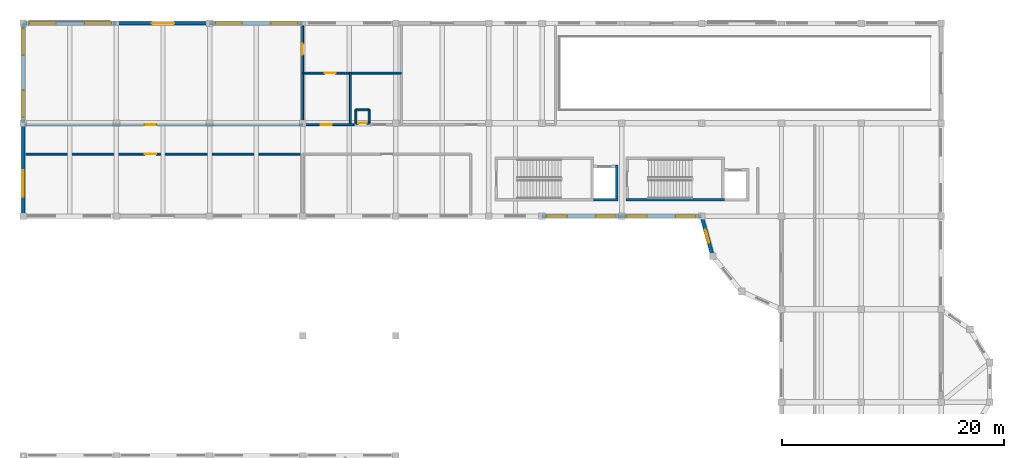
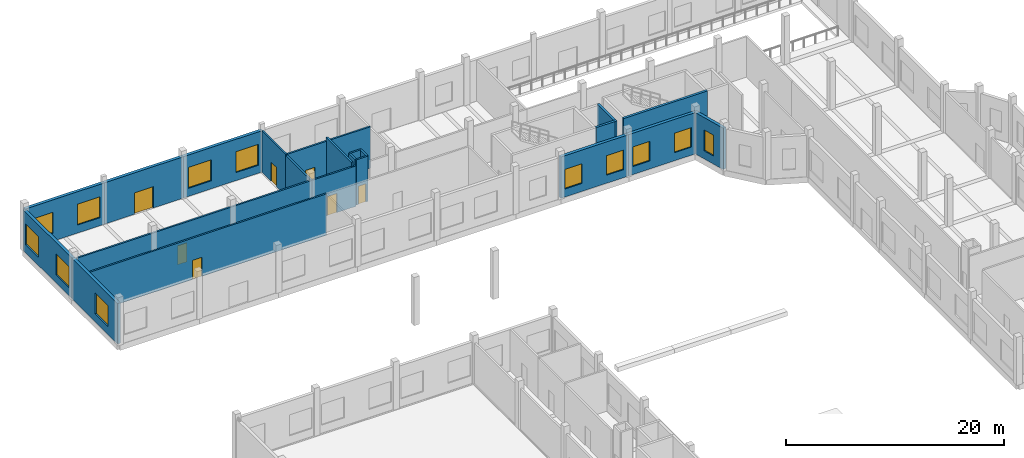
# One storey, part 23 of 41: 22 walls, 12 windows, 7 doors, 19 openings.
"""IFC4 building model written with IfcOpenShell, lengths in metres."""

from ifc_helpers import new_model, si_unit, direction, frame, frame_2d, origin, place, context, subcontext, project, spatial, rectangle, extrude, material, layer, layer_set, type_object, element, fill, save


model = new_model("IFC4")

# Units and contexts
model_context = context("Model", 3, precision=1e-05, world=origin(), true_north=direction((0.0, 1.0)))
body_context = subcontext(model_context, "Body", "Model", "MODEL_VIEW")
ifc_project = project(units=[si_unit("LENGTHUNIT", "METRE"), si_unit("AREAUNIT", "SQUARE_METRE"), si_unit("VOLUMEUNIT", "CUBIC_METRE"), si_unit("PLANEANGLEUNIT", "RADIAN"), si_unit("MASSUNIT", "GRAM", prefix="KILO")], contexts=[model_context])

# Site, building, storey
site_placement = place(None, origin())
site = spatial("IfcSite", under=ifc_project, at=site_placement, CompositionType="ELEMENT")
building_placement = place(site_placement, origin())
building = spatial("IfcBuilding", under=site, at=building_placement, Name="Kahlenmark Community Centre", CompositionType="ELEMENT")
storey_placement = place(building_placement, origin())
storey = spatial("IfcBuildingStorey", under=building, at=storey_placement, Name="L00", CompositionType="ELEMENT", Elevation=0.0)

# Walls
ifc_material_1 = material(Name="Concrete C35/45", Category="concrete")
ifc_layer_1 = layer(ifc_material_1, 0.25)
ifc_layer_set_1 = layer_set([ifc_layer_1], Name="Concrete C35/45")
wall_type_1 = type_object("IfcWallType", Name="WT-CORE-250", PredefinedType="SHEAR", material=ifc_layer_set_1)
wall_1_placement = place(storey_placement, frame((55.449951171875, 99.074951171875, 0.0), z_axis=(0.0, 0.0, 1.0), x_axis=(1.0, 0.0, 0.0)))
element("IfcWall", 1, at=wall_1_placement, inside=storey, type_object=wall_type_1, Name="Core K4 shear wall WL-CORE-K4-L00-0110", PredefinedType="SHEAR", context=body_context, shape_type="SweptSolid", body=[
    extrude(rectangle(XDim=2.2099609375, YDim=0.25, at=frame_2d((1.10498046875, 0.0))), origin(), (0.0, 0.0, 1.0), 5.39990234375),
])
wall_2_placement = place(storey_placement, frame((57.534912109375, 98.949951171875, 0.0), z_axis=(0.0, 0.0, 1.0), x_axis=(0.0, 1.0, 0.0)))
element("IfcWall", 2, at=wall_2_placement, inside=storey, type_object=wall_type_1, Name="Core K4 shear wall WL-CORE-K4-L00-0111", PredefinedType="SHEAR", context=body_context, shape_type="SweptSolid", body=[
    extrude(rectangle(XDim=3.260009765625, YDim=0.25, at=frame_2d((1.6298828125, 0.0))), origin(), (0.0, 0.0, 1.0), 5.39990234375),
])
wall_3_placement = place(storey_placement, frame((58.35009765625, 99.074951171875, 0.0), z_axis=(0.0, 0.0, 1.0), x_axis=(1.0, 0.0, 0.0)))
element("IfcWall", 3, at=wall_3_placement, inside=storey, type_object=wall_type_1, Name="Core K5 shear wall WL-CORE-K5-L00-0156", PredefinedType="SHEAR", context=body_context, shape_type="SweptSolid", body=[
    extrude(rectangle(XDim=8.89990234375, YDim=0.25, at=frame_2d((4.449951171875, 0.0))), origin(), (0.0, 0.0, 1.0), 5.39990234375),
])

# Wall, openings, windows
ifc_material_2 = material(Name="Danube limestone masonry", Category="masonry")
ifc_layer_2 = layer(ifc_material_2, 0.320068359375)
ifc_layer_set_2 = layer_set([ifc_layer_2], Name="Danube limestone masonry")
wall_type_2 = type_object("IfcWallType", Name="WT-EW-320", PredefinedType="SOLIDWALL", material=ifc_layer_set_2)
wall_4_placement = place(storey_placement, frame((50.800048828125, 97.60009765625, 0.0), z_axis=(0.0, 0.0, 1.0), x_axis=(1.0, 0.0, 0.0)))
wall_4 = element("IfcWall", 4, at=wall_4_placement, inside=storey, type_object=wall_type_2, Name="Exterior wall WL-EXT-L00-0185", PredefinedType="SOLIDWALL", context=body_context, shape_type="SweptSolid", body=[
    extrude(rectangle(XDim=7.199951171875, YDim=0.320068359375, at=frame_2d((3.60009765625, 0.0))), origin(), (0.0, 0.0, 1.0), 4.639892578125),
])
opening_1_placement = place(wall_4_placement, frame((0.4599609375, 0.0, 0.89990234375)))
opening_1 = element("IfcOpeningElement", 5, at=opening_1_placement, cuts=wall_4, Name="Opening W-180X220", PredefinedType="OPENING", context=body_context, shape_type="SweptSolid", body=[
    extrude(rectangle(XDim=1.800048828125, YDim=2.199951171875, at=frame_2d((0.89990234375, 1.10009765625))), frame((0.0, 0.169921875, 0.0), z_axis=(0.0, -1.0, 0.0), x_axis=(1.0, 0.0, 0.0)), (0.0, 0.0, 1.0), 0.340087890625),
])
opening_2_placement = place(wall_4_placement, frame((4.860107421875, 0.0, 0.89990234375)))
opening_2 = element("IfcOpeningElement", 6, at=opening_2_placement, cuts=wall_4, Name="Opening W-180X220", PredefinedType="OPENING", context=body_context, shape_type="SweptSolid", body=[
    extrude(rectangle(XDim=1.800048828125, YDim=2.199951171875, at=frame_2d((0.89990234375, 1.10009765625))), frame((0.0, 0.169921875, 0.0), z_axis=(0.0, -1.0, 0.0), x_axis=(1.0, 0.0, 0.0)), (0.0, 0.0, 1.0), 0.340087890625),
])
ifc_material_3 = material(Name="Triple low-e insulated glazing in timber-aluminium frame", Category="wood")
window_type_1 = type_object("IfcWindowType", Name="WNT-180X220", PartitioningType="DOUBLE_PANEL_VERTICAL", PredefinedType="WINDOW", material=ifc_material_3)
window_1_placement = place(opening_1_placement, origin())
window_1 = element("IfcWindow", 7, at=window_1_placement, inside=storey, type_object=window_type_1, Name="Window W-180X220 #0075", OverallHeight=2.199951171875, OverallWidth=1.800048828125, PartitioningType="DOUBLE_PANEL_VERTICAL", PredefinedType="WINDOW", context=body_context, shape_type="SweptSolid", body=[
    extrude(rectangle(XDim=1.800048828125, YDim=2.199951171875, at=frame_2d((0.89990234375, 1.10009765625))), frame((0.0, 0.030029296875, 0.0), z_axis=(0.0, -1.0, 0.0), x_axis=(1.0, 0.0, 0.0)), (0.0, 0.0, 1.0), 0.06005859375),
])
fill(opening_1, window_1)
window_2_placement = place(opening_2_placement, origin())
window_2 = element("IfcWindow", 8, at=window_2_placement, inside=storey, type_object=window_type_1, Name="Window W-180X220 #0076", OverallHeight=2.199951171875, OverallWidth=1.800048828125, PartitioningType="DOUBLE_PANEL_VERTICAL", PredefinedType="WINDOW", context=body_context, shape_type="SweptSolid", body=[
    extrude(rectangle(XDim=1.800048828125, YDim=2.199951171875, at=frame_2d((0.89990234375, 1.10009765625))), frame((0.0, 0.030029296875, 0.0), z_axis=(0.0, -1.0, 0.0), x_axis=(1.0, 0.0, 0.0)), (0.0, 0.0, 1.0), 0.06005859375),
])
fill(opening_2, window_2)

wall_5_placement = place(storey_placement, frame((58.0, 97.60009765625, 0.0), z_axis=(0.0, 0.0, 1.0), x_axis=(1.0, 0.0, 0.0)))
wall_5 = element("IfcWall", 9, at=wall_5_placement, inside=storey, type_object=wall_type_2, Name="Exterior wall WL-EXT-L00-0186", PredefinedType="SOLIDWALL", context=body_context, shape_type="SweptSolid", body=[
    extrude(rectangle(XDim=7.199951171875, YDim=0.320068359375, at=frame_2d((3.60009765625, 0.0))), origin(), (0.0, 0.0, 1.0), 4.639892578125),
])
opening_3_placement = place(wall_5_placement, frame((0.4599609375, 0.0, 0.89990234375)))
opening_3 = element("IfcOpeningElement", 10, at=opening_3_placement, cuts=wall_5, Name="Opening W-180X220", PredefinedType="OPENING", context=body_context, shape_type="SweptSolid", body=[
    extrude(rectangle(XDim=1.800048828125, YDim=2.199951171875, at=frame_2d((0.89990234375, 1.10009765625))), frame((0.0, 0.169921875, 0.0), z_axis=(0.0, -1.0, 0.0), x_axis=(1.0, 0.0, 0.0)), (0.0, 0.0, 1.0), 0.340087890625),
])
opening_4_placement = place(wall_5_placement, frame((4.860107421875, 0.0, 0.89990234375)))
opening_4 = element("IfcOpeningElement", 11, at=opening_4_placement, cuts=wall_5, Name="Opening W-180X220", PredefinedType="OPENING", context=body_context, shape_type="SweptSolid", body=[
    extrude(rectangle(XDim=1.800048828125, YDim=2.199951171875, at=frame_2d((0.89990234375, 1.10009765625))), frame((0.0, 0.169921875, 0.0), z_axis=(0.0, -1.0, 0.0), x_axis=(1.0, 0.0, 0.0)), (0.0, 0.0, 1.0), 0.340087890625),
])
window_3_placement = place(opening_3_placement, origin())
window_3 = element("IfcWindow", 12, at=window_3_placement, inside=storey, type_object=window_type_1, Name="Window W-180X220 #0077", OverallHeight=2.199951171875, OverallWidth=1.800048828125, PartitioningType="DOUBLE_PANEL_VERTICAL", PredefinedType="WINDOW", context=body_context, shape_type="SweptSolid", body=[
    extrude(rectangle(XDim=1.800048828125, YDim=2.199951171875, at=frame_2d((0.89990234375, 1.10009765625))), frame((0.0, 0.030029296875, 0.0), z_axis=(0.0, -1.0, 0.0), x_axis=(1.0, 0.0, 0.0)), (0.0, 0.0, 1.0), 0.06005859375),
])
fill(opening_3, window_3)
window_4_placement = place(opening_4_placement, origin())
window_4 = element("IfcWindow", 13, at=window_4_placement, inside=storey, type_object=window_type_1, Name="Window W-180X220 #0078", OverallHeight=2.199951171875, OverallWidth=1.800048828125, PartitioningType="DOUBLE_PANEL_VERTICAL", PredefinedType="WINDOW", context=body_context, shape_type="SweptSolid", body=[
    extrude(rectangle(XDim=1.800048828125, YDim=2.199951171875, at=frame_2d((0.89990234375, 1.10009765625))), frame((0.0, 0.030029296875, 0.0), z_axis=(0.0, -1.0, 0.0), x_axis=(1.0, 0.0, 0.0)), (0.0, 0.0, 1.0), 0.06005859375),
])
fill(opening_4, window_4)

wall_6_placement = place(storey_placement, frame((12.39990234375, 115.0, 0.0), z_axis=(0.0, 0.0, 1.0), x_axis=(-1.0, 0.0, 0.0)))
wall_6 = element("IfcWall", 14, at=wall_6_placement, inside=storey, type_object=wall_type_2, Name="Exterior wall WL-EXT-L00-0187", PredefinedType="SOLIDWALL", context=body_context, shape_type="SweptSolid", body=[
    extrude(rectangle(XDim=8.39990234375, YDim=0.320068359375, at=frame_2d((4.199951171875, 0.0))), origin(), (0.0, 0.0, 1.0), 4.639892578125),
])
opening_5_placement = place(wall_6_placement, frame((0.4599609375, 0.0, 0.89990234375)))
opening_5 = element("IfcOpeningElement", 15, at=opening_5_placement, cuts=wall_6, Name="Opening W-240X235", PredefinedType="OPENING", context=body_context, shape_type="SweptSolid", body=[
    extrude(rectangle(XDim=2.39990234375, YDim=2.35009765625, at=frame_2d((1.199951171875, 1.175048828125))), frame((0.0, 0.169921875, 0.0), z_axis=(0.0, -1.0, 0.0), x_axis=(1.0, 0.0, 0.0)), (0.0, 0.0, 1.0), 0.340087890625),
])
opening_6_placement = place(wall_6_placement, frame((5.4599609375, 0.0, 0.89990234375)))
opening_6 = element("IfcOpeningElement", 16, at=opening_6_placement, cuts=wall_6, Name="Opening W-240X235", PredefinedType="OPENING", context=body_context, shape_type="SweptSolid", body=[
    extrude(rectangle(XDim=2.39990234375, YDim=2.35009765625, at=frame_2d((1.199951171875, 1.175048828125))), frame((0.0, 0.169921875, 0.0), z_axis=(0.0, -1.0, 0.0), x_axis=(1.0, 0.0, 0.0)), (0.0, 0.0, 1.0), 0.340087890625),
])
window_type_2 = type_object("IfcWindowType", Name="WNT-240X235", PartitioningType="TRIPLE_PANEL_VERTICAL", PredefinedType="WINDOW", material=ifc_material_3)
window_5_placement = place(opening_5_placement, origin())
window_5 = element("IfcWindow", 17, at=window_5_placement, inside=storey, type_object=window_type_2, Name="Window W-240X235 #0079", OverallHeight=2.35009765625, OverallWidth=2.39990234375, PartitioningType="TRIPLE_PANEL_VERTICAL", PredefinedType="WINDOW", context=body_context, shape_type="SweptSolid", body=[
    extrude(rectangle(XDim=2.39990234375, YDim=2.35009765625, at=frame_2d((1.199951171875, 1.175048828125))), frame((0.0, 0.030029296875, 0.0), z_axis=(0.0, -1.0, 0.0), x_axis=(1.0, 0.0, 0.0)), (0.0, 0.0, 1.0), 0.06005859375),
])
fill(opening_5, window_5)
window_6_placement = place(opening_6_placement, origin())
window_6 = element("IfcWindow", 18, at=window_6_placement, inside=storey, type_object=window_type_2, Name="Window W-240X235 #0080", OverallHeight=2.35009765625, OverallWidth=2.39990234375, PartitioningType="TRIPLE_PANEL_VERTICAL", PredefinedType="WINDOW", context=body_context, shape_type="SweptSolid", body=[
    extrude(rectangle(XDim=2.39990234375, YDim=2.35009765625, at=frame_2d((1.199951171875, 1.175048828125))), frame((0.0, 0.030029296875, 0.0), z_axis=(0.0, -1.0, 0.0), x_axis=(1.0, 0.0, 0.0)), (0.0, 0.0, 1.0), 0.06005859375),
])
fill(opening_6, window_6)

# Wall, opening, door
wall_7_placement = place(storey_placement, frame((20.800048828125, 115.0, 0.0), z_axis=(0.0, 0.0, 1.0), x_axis=(-1.0, 0.0, 0.0)))
wall_7 = element("IfcWall", 19, at=wall_7_placement, inside=storey, type_object=wall_type_2, Name="Exterior wall WL-EXT-L00-0188", PredefinedType="SOLIDWALL", context=body_context, shape_type="SweptSolid", body=[
    extrude(rectangle(XDim=8.400146484375, YDim=0.320068359375, at=frame_2d((4.2001953125, 0.0))), origin(), (0.0, 0.0, 1.0), 4.639892578125),
])
opening_7_placement = place(wall_7_placement, frame((3.199951171875, 0.0, -0.010009765625)))
opening_7 = element("IfcOpeningElement", 20, at=opening_7_placement, cuts=wall_7, Name="Opening D-E07", PredefinedType="OPENING", context=body_context, shape_type="SweptSolid", body=[
    extrude(rectangle(XDim=2.0, YDim=2.409912109375, at=frame_2d((1.0, 1.205078125))), frame((0.0, 0.169921875, 0.0), z_axis=(0.0, -1.0, 0.0), x_axis=(1.0, 0.0, 0.0)), (0.0, 0.0, 1.0), 0.340087890625),
])
ifc_material_4 = material(Name="Thermally broken glazed aluminium double entrance door", Category="aluminium")
door_type_1 = type_object("IfcDoorType", Name="DT-EXT-200X240", OperationType="NOTDEFINED", PredefinedType="DOOR", material=ifc_material_4)
door_1_placement = place(opening_7_placement, frame((0.0, 0.0, 0.010009765625)))
door_1 = element("IfcDoor", 21, at=door_1_placement, inside=storey, type_object=door_type_1, Name="Exterior door D-E07", OperationType="DOUBLE_SWING_LEFT", OverallHeight=2.39990234375, OverallWidth=2.0, PredefinedType="DOOR", context=body_context, shape_type="SweptSolid", body=[
    extrude(rectangle(XDim=2.0, YDim=2.39990234375, at=frame_2d((1.0, 1.199951171875))), frame((0.0, 0.02490234375, 0.0), z_axis=(0.0, -1.0, 0.0), x_axis=(1.0, 0.0, 0.0)), (0.0, 0.0, 1.0), 0.050048828125),
])
fill(opening_7, door_1)

# Wall, openings, windows
wall_8_placement = place(storey_placement, frame((29.199951171875, 115.0, 0.0), z_axis=(0.0, 0.0, 1.0), x_axis=(-1.0, 0.0, 0.0)))
wall_8 = element("IfcWall", 22, at=wall_8_placement, inside=storey, type_object=wall_type_2, Name="Exterior wall WL-EXT-L00-0189", PredefinedType="SOLIDWALL", context=body_context, shape_type="SweptSolid", body=[
    extrude(rectangle(XDim=8.39990234375, YDim=0.320068359375, at=frame_2d((4.199951171875, 0.0))), origin(), (0.0, 0.0, 1.0), 4.639892578125),
])
opening_8_placement = place(wall_8_placement, frame((0.4599609375, 0.0, 0.89990234375)))
opening_8 = element("IfcOpeningElement", 23, at=opening_8_placement, cuts=wall_8, Name="Opening W-240X235", PredefinedType="OPENING", context=body_context, shape_type="SweptSolid", body=[
    extrude(rectangle(XDim=2.39990234375, YDim=2.35009765625, at=frame_2d((1.199951171875, 1.175048828125))), frame((0.0, 0.169921875, 0.0), z_axis=(0.0, -1.0, 0.0), x_axis=(1.0, 0.0, 0.0)), (0.0, 0.0, 1.0), 0.340087890625),
])
opening_9_placement = place(wall_8_placement, frame((5.4599609375, 0.0, 0.89990234375)))
opening_9 = element("IfcOpeningElement", 24, at=opening_9_placement, cuts=wall_8, Name="Opening W-240X235", PredefinedType="OPENING", context=body_context, shape_type="SweptSolid", body=[
    extrude(rectangle(XDim=2.39990234375, YDim=2.35009765625, at=frame_2d((1.199951171875, 1.175048828125))), frame((0.0, 0.169921875, 0.0), z_axis=(0.0, -1.0, 0.0), x_axis=(1.0, 0.0, 0.0)), (0.0, 0.0, 1.0), 0.340087890625),
])
window_7_placement = place(opening_8_placement, origin())
window_7 = element("IfcWindow", 25, at=window_7_placement, inside=storey, type_object=window_type_2, Name="Window W-240X235 #0081", OverallHeight=2.35009765625, OverallWidth=2.39990234375, PartitioningType="TRIPLE_PANEL_VERTICAL", PredefinedType="WINDOW", context=body_context, shape_type="SweptSolid", body=[
    extrude(rectangle(XDim=2.39990234375, YDim=2.35009765625, at=frame_2d((1.199951171875, 1.175048828125))), frame((0.0, 0.030029296875, 0.0), z_axis=(0.0, -1.0, 0.0), x_axis=(1.0, 0.0, 0.0)), (0.0, 0.0, 1.0), 0.06005859375),
])
fill(opening_8, window_7)
window_8_placement = place(opening_9_placement, origin())
window_8 = element("IfcWindow", 26, at=window_8_placement, inside=storey, type_object=window_type_2, Name="Window W-240X235 #0082", OverallHeight=2.35009765625, OverallWidth=2.39990234375, PartitioningType="TRIPLE_PANEL_VERTICAL", PredefinedType="WINDOW", context=body_context, shape_type="SweptSolid", body=[
    extrude(rectangle(XDim=2.39990234375, YDim=2.35009765625, at=frame_2d((1.199951171875, 1.175048828125))), frame((0.0, 0.030029296875, 0.0), z_axis=(0.0, -1.0, 0.0), x_axis=(1.0, 0.0, 0.0)), (0.0, 0.0, 1.0), 0.06005859375),
])
fill(opening_9, window_8)

# Wall, opening, window
wall_9_placement = place(storey_placement, frame((4.0, 106.0, 0.0), z_axis=(0.0, 0.0, 1.0), x_axis=(0.0, -1.0, 0.0)))
wall_9 = element("IfcWall", 27, at=wall_9_placement, inside=storey, type_object=wall_type_2, Name="Exterior wall WL-EXT-L00-0198", PredefinedType="SOLIDWALL", context=body_context, shape_type="SweptSolid", body=[
    extrude(rectangle(XDim=8.39990234375, YDim=0.320068359375, at=frame_2d((4.199951171875, 0.0))), origin(), (0.0, 0.0, 1.0), 4.5400390625),
])
opening_10_placement = place(wall_9_placement, frame((4.260009765625, 0.0, 0.89990234375)))
opening_10 = element("IfcOpeningElement", 28, at=opening_10_placement, cuts=wall_9, Name="Opening W-240X235", PredefinedType="OPENING", context=body_context, shape_type="SweptSolid", body=[
    extrude(rectangle(XDim=2.39990234375, YDim=2.35009765625, at=frame_2d((1.199951171875, 1.175048828125))), frame((0.0, 0.169921875, 0.0), z_axis=(0.0, -1.0, 0.0), x_axis=(1.0, 0.0, 0.0)), (0.0, 0.0, 1.0), 0.340087890625),
])
window_9_placement = place(opening_10_placement, origin())
window_9 = element("IfcWindow", 29, at=window_9_placement, inside=storey, type_object=window_type_2, Name="Window W-240X235 #0094", OverallHeight=2.35009765625, OverallWidth=2.39990234375, PartitioningType="TRIPLE_PANEL_VERTICAL", PredefinedType="WINDOW", context=body_context, shape_type="SweptSolid", body=[
    extrude(rectangle(XDim=2.39990234375, YDim=2.35009765625, at=frame_2d((1.199951171875, 1.175048828125))), frame((0.0, 0.030029296875, 0.0), z_axis=(0.0, -1.0, 0.0), x_axis=(1.0, 0.0, 0.0)), (0.0, 0.0, 1.0), 0.06005859375),
])
fill(opening_10, window_9)

# Wall, openings, windows
wall_10_placement = place(storey_placement, frame((4.0, 115.0, 0.0), z_axis=(0.0, 0.0, 1.0), x_axis=(0.0, -1.0, 0.0)))
wall_10 = element("IfcWall", 30, at=wall_10_placement, inside=storey, type_object=wall_type_2, Name="Exterior wall WL-EXT-L00-0199", PredefinedType="SOLIDWALL", context=body_context, shape_type="SweptSolid", body=[
    extrude(rectangle(XDim=9.0, YDim=0.320068359375, at=frame_2d((4.5, 0.0))), origin(), (0.0, 0.0, 1.0), 4.5400390625),
])
opening_11_placement = place(wall_10_placement, frame((0.4599609375, 0.0, 0.89990234375)))
opening_11 = element("IfcOpeningElement", 31, at=opening_11_placement, cuts=wall_10, Name="Opening W-240X235", PredefinedType="OPENING", context=body_context, shape_type="SweptSolid", body=[
    extrude(rectangle(XDim=2.39990234375, YDim=2.35009765625, at=frame_2d((1.199951171875, 1.175048828125))), frame((0.0, 0.169921875, 0.0), z_axis=(0.0, -1.0, 0.0), x_axis=(1.0, 0.0, 0.0)), (0.0, 0.0, 1.0), 0.340087890625),
])
opening_12_placement = place(wall_10_placement, frame((6.06005859375, 0.0, 0.89990234375)))
opening_12 = element("IfcOpeningElement", 32, at=opening_12_placement, cuts=wall_10, Name="Opening W-240X235", PredefinedType="OPENING", context=body_context, shape_type="SweptSolid", body=[
    extrude(rectangle(XDim=2.39990234375, YDim=2.35009765625, at=frame_2d((1.199951171875, 1.175048828125))), frame((0.0, 0.169921875, 0.0), z_axis=(0.0, -1.0, 0.0), x_axis=(1.0, 0.0, 0.0)), (0.0, 0.0, 1.0), 0.340087890625),
])
window_10_placement = place(opening_11_placement, origin())
window_10 = element("IfcWindow", 33, at=window_10_placement, inside=storey, type_object=window_type_2, Name="Window W-240X235 #0095", OverallHeight=2.35009765625, OverallWidth=2.39990234375, PartitioningType="TRIPLE_PANEL_VERTICAL", PredefinedType="WINDOW", context=body_context, shape_type="SweptSolid", body=[
    extrude(rectangle(XDim=2.39990234375, YDim=2.35009765625, at=frame_2d((1.199951171875, 1.175048828125))), frame((0.0, 0.030029296875, 0.0), z_axis=(0.0, -1.0, 0.0), x_axis=(1.0, 0.0, 0.0)), (0.0, 0.0, 1.0), 0.06005859375),
])
fill(opening_11, window_10)
window_11_placement = place(opening_12_placement, origin())
window_11 = element("IfcWindow", 34, at=window_11_placement, inside=storey, type_object=window_type_2, Name="Window W-240X235 #0096", OverallHeight=2.35009765625, OverallWidth=2.39990234375, PartitioningType="TRIPLE_PANEL_VERTICAL", PredefinedType="WINDOW", context=body_context, shape_type="SweptSolid", body=[
    extrude(rectangle(XDim=2.39990234375, YDim=2.35009765625, at=frame_2d((1.199951171875, 1.175048828125))), frame((0.0, 0.030029296875, 0.0), z_axis=(0.0, -1.0, 0.0), x_axis=(1.0, 0.0, 0.0)), (0.0, 0.0, 1.0), 0.06005859375),
])
fill(opening_12, window_11)

# Wall, opening, window
wall_11_placement = place(storey_placement, frame((65.199951171875, 97.60009765625, 0.0), z_axis=(0.0, 0.0, 1.0), x_axis=(0.267637123724, -0.963519781844, 0.0)))
wall_11 = element("IfcWall", 35, at=wall_11_placement, inside=storey, type_object=wall_type_2, Name="Rotunda plinth wall WL-ROT-L00-0771", PredefinedType="SOLIDWALL", context=body_context, shape_type="SweptSolid", body=[
    extrude(rectangle(XDim=3.736328125, YDim=0.320068359375, at=frame_2d((1.8681640625, 0.0))), origin(), (0.0, 0.0, 1.0), 4.639892578125),
])
opening_13_placement = place(wall_11_placement, frame((1.260009765625, 0.0, 0.89990234375)))
opening_13 = element("IfcOpeningElement", 36, at=opening_13_placement, cuts=wall_11, Name="Opening W-120X235", PredefinedType="OPENING", context=body_context, shape_type="SweptSolid", body=[
    extrude(rectangle(XDim=1.199951171875, YDim=2.35009765625, at=frame_2d((0.60009765625, 1.175048828125))), frame((0.0, 0.169921875, 0.0), z_axis=(0.0, -1.0, 0.0), x_axis=(1.0, 0.0, 0.0)), (0.0, 0.0, 1.0), 0.340087890625),
])
window_type_3 = type_object("IfcWindowType", Name="WNT-120X235", PartitioningType="SINGLE_PANEL", PredefinedType="WINDOW", material=ifc_material_3)
window_12_placement = place(opening_13_placement, origin())
window_12 = element("IfcWindow", 37, at=window_12_placement, inside=storey, type_object=window_type_3, Name="Window W-120X235 #0500", OverallHeight=2.35009765625, OverallWidth=1.199951171875, PartitioningType="SINGLE_PANEL", PredefinedType="WINDOW", context=body_context, shape_type="SweptSolid", body=[
    extrude(rectangle(XDim=1.199951171875, YDim=2.35009765625, at=frame_2d((0.60009765625, 1.175048828125))), frame((0.0, 0.030029296875, 0.0), z_axis=(0.0, -1.0, 0.0), x_axis=(1.0, 0.0, 0.0)), (0.0, 0.0, 1.0), 0.06005859375),
])
fill(opening_13, window_12)

# Wall, opening, door
ifc_material_5 = material(Name="Gypsum plasterboard partition", Category="gypsum")
ifc_layer_3 = layer(ifc_material_5, 0.179931640625)
ifc_layer_set_3 = layer_set([ifc_layer_3], Name="Gypsum plasterboard partition")
wall_type_3 = type_object("IfcWallType", Name="WT-PW-180", PredefinedType="PARTITIONING", material=ifc_layer_set_3)
wall_12_placement = place(storey_placement, frame((4.14990234375, 103.199951171875, 0.0), z_axis=(0.0, 0.0, 1.0), x_axis=(1.0, 0.0, 0.0)))
wall_12 = element("IfcWall", 38, at=wall_12_placement, inside=storey, type_object=wall_type_3, Name="Interior partition WL-INT-L00-0070", PredefinedType="PARTITIONING", context=body_context, shape_type="SweptSolid", body=[
    extrude(rectangle(XDim=25.050048828125, YDim=0.179931640625, at=frame_2d((12.52490234375, 0.0))), origin(), (0.0, 0.0, 1.0), 4.639892578125),
])
opening_14_placement = place(wall_12_placement, frame((10.822021484375, 0.0, -0.010009765625)))
opening_14 = element("IfcOpeningElement", 39, at=opening_14_placement, cuts=wall_12, Name="Opening D-L00-045", PredefinedType="OPENING", context=body_context, shape_type="SweptSolid", body=[
    extrude(rectangle(XDim=1.0, YDim=2.159912109375, at=frame_2d((0.5, 1.080078125))), frame((0.0, 0.099853515625, 0.0), z_axis=(0.0, -1.0, 0.0), x_axis=(1.0, 0.0, 0.0)), (0.0, 0.0, 1.0), 0.199951171875),
])
ifc_material_6 = material(Name="Oak timber veneer door leaf", Category="wood")
door_type_2 = type_object("IfcDoorType", Name="DT-INT-100X215", OperationType="NOTDEFINED", PredefinedType="DOOR", material=ifc_material_6)
door_2_placement = place(opening_14_placement, frame((1.0, 0.0, 0.010009765625), z_axis=(0.0, 0.0, 1.0), x_axis=(-1.0, 0.0, 0.0)))
door_2 = element("IfcDoor", 40, at=door_2_placement, inside=storey, type_object=door_type_2, Name="Interior door D-L00-045", OperationType="SINGLE_SWING_RIGHT", OverallHeight=2.14990234375, OverallWidth=1.0, PredefinedType="DOOR", context=body_context, shape_type="SweptSolid", body=[
    extrude(rectangle(XDim=1.0, YDim=2.14990234375, at=frame_2d((0.5, 1.074951171875))), frame((0.0, 0.02490234375, 0.0), z_axis=(0.0, -1.0, 0.0), x_axis=(1.0, 0.0, 0.0)), (0.0, 0.0, 1.0), 0.050048828125),
])
fill(opening_14, door_2)

wall_13_placement = place(storey_placement, frame((4.14990234375, 105.85009765625, 0.0), z_axis=(0.0, 0.0, 1.0), x_axis=(1.0, 0.0, 0.0)))
wall_13 = element("IfcWall", 41, at=wall_13_placement, inside=storey, type_object=wall_type_3, Name="Interior partition WL-INT-L00-0075", PredefinedType="PARTITIONING", context=body_context, shape_type="SweptSolid", body=[
    extrude(rectangle(XDim=25.050048828125, YDim=0.179931640625, at=frame_2d((12.52490234375, 0.0))), origin(), (0.0, 0.0, 1.0), 4.5400390625),
])
opening_15_placement = place(wall_13_placement, frame((10.822021484375, 0.0, -0.010009765625)))
opening_15 = element("IfcOpeningElement", 42, at=opening_15_placement, cuts=wall_13, Name="Opening D-L00-047", PredefinedType="OPENING", context=body_context, shape_type="SweptSolid", body=[
    extrude(rectangle(XDim=1.0, YDim=2.159912109375, at=frame_2d((0.5, 1.080078125))), frame((0.0, 0.099853515625, 0.0), z_axis=(0.0, -1.0, 0.0), x_axis=(1.0, 0.0, 0.0)), (0.0, 0.0, 1.0), 0.199951171875),
])
door_3_placement = place(opening_15_placement, frame((0.0, 0.0, 0.010009765625)))
door_3 = element("IfcDoor", 43, at=door_3_placement, inside=storey, type_object=door_type_2, Name="Interior door D-L00-047", OperationType="SINGLE_SWING_RIGHT", OverallHeight=2.14990234375, OverallWidth=1.0, PredefinedType="DOOR", context=body_context, shape_type="SweptSolid", body=[
    extrude(rectangle(XDim=1.0, YDim=2.14990234375, at=frame_2d((0.5, 1.074951171875))), frame((0.0, 0.02490234375, 0.0), z_axis=(0.0, -1.0, 0.0), x_axis=(1.0, 0.0, 0.0)), (0.0, 0.0, 1.0), 0.050048828125),
])
fill(opening_15, door_3)

wall_14_placement = place(storey_placement, frame((29.199951171875, 105.85009765625, 0.0), z_axis=(0.0, 0.0, 1.0), x_axis=(1.0, 0.0, 0.0)))
wall_14 = element("IfcWall", 44, at=wall_14_placement, inside=storey, type_object=wall_type_3, Name="Interior partition WL-INT-L00-0076", PredefinedType="PARTITIONING", context=body_context, shape_type="SweptSolid", body=[
    extrude(rectangle(XDim=4.650146484375, YDim=0.179931640625, at=frame_2d((2.3251953125, 0.0))), origin(), (0.0, 0.0, 1.0), 4.5400390625),
])
opening_16_placement = place(wall_14_placement, frame((1.64306640625, 0.0, -0.010009765625)))
opening_16 = element("IfcOpeningElement", 45, at=opening_16_placement, cuts=wall_14, Name="Opening D-L00-048", PredefinedType="OPENING", context=body_context, shape_type="SweptSolid", body=[
    extrude(rectangle(XDim=1.0, YDim=2.159912109375, at=frame_2d((0.5, 1.080078125))), frame((0.0, 0.099853515625, 0.0), z_axis=(0.0, -1.0, 0.0), x_axis=(1.0, 0.0, 0.0)), (0.0, 0.0, 1.0), 0.199951171875),
])
door_4_placement = place(opening_16_placement, frame((1.0, 0.0, 0.010009765625), z_axis=(0.0, 0.0, 1.0), x_axis=(-1.0, 0.0, 0.0)))
door_4 = element("IfcDoor", 46, at=door_4_placement, inside=storey, type_object=door_type_2, Name="Interior door D-L00-048", OperationType="SINGLE_SWING_LEFT", OverallHeight=2.14990234375, OverallWidth=1.0, PredefinedType="DOOR", context=body_context, shape_type="SweptSolid", body=[
    extrude(rectangle(XDim=1.0, YDim=2.14990234375, at=frame_2d((0.5, 1.074951171875))), frame((0.0, 0.02490234375, 0.0), z_axis=(0.0, -1.0, 0.0), x_axis=(1.0, 0.0, 0.0)), (0.0, 0.0, 1.0), 0.050048828125),
])
fill(opening_16, door_4)

# Wall
wall_15_placement = place(storey_placement, frame((29.199951171875, 105.85009765625, 0.0), z_axis=(0.0, 0.0, 1.0), x_axis=(0.0, 1.0, 0.0)))
element("IfcWall", 47, at=wall_15_placement, inside=storey, type_object=wall_type_3, Name="Interior partition WL-INT-L00-0080", PredefinedType="PARTITIONING", context=body_context, shape_type="SweptSolid", body=[
    extrude(rectangle(XDim=4.64990234375, YDim=0.179931640625, at=frame_2d((2.324951171875, 0.0))), origin(), (0.0, 0.0, 1.0), 4.5400390625),
])

# Wall, opening, door
wall_16_placement = place(storey_placement, frame((29.199951171875, 110.5, 0.0), z_axis=(0.0, 0.0, 1.0), x_axis=(0.0, 1.0, 0.0)))
wall_16 = element("IfcWall", 48, at=wall_16_placement, inside=storey, type_object=wall_type_3, Name="Interior partition WL-INT-L00-0081", PredefinedType="PARTITIONING", context=body_context, shape_type="SweptSolid", body=[
    extrude(rectangle(XDim=4.35009765625, YDim=0.179931640625, at=frame_2d((2.175048828125, 0.0))), origin(), (0.0, 0.0, 1.0), 4.639892578125),
])
opening_17_placement = place(wall_16_placement, frame((1.675048828125, 0.0, -0.010009765625)))
opening_17 = element("IfcOpeningElement", 49, at=opening_17_placement, cuts=wall_16, Name="Opening D-L00-051", PredefinedType="OPENING", context=body_context, shape_type="SweptSolid", body=[
    extrude(rectangle(XDim=1.0, YDim=2.159912109375, at=frame_2d((0.5, 1.080078125))), frame((0.0, 0.099853515625, 0.0), z_axis=(0.0, -1.0, 0.0), x_axis=(1.0, 0.0, 0.0)), (0.0, 0.0, 1.0), 0.199951171875),
])
door_5_placement = place(opening_17_placement, frame((1.0, 0.0, 0.010009765625), z_axis=(0.0, 0.0, 1.0), x_axis=(-1.0, 0.0, 0.0)))
door_5 = element("IfcDoor", 50, at=door_5_placement, inside=storey, type_object=door_type_2, Name="Interior door D-L00-051", OperationType="SINGLE_SWING_RIGHT", OverallHeight=2.14990234375, OverallWidth=1.0, PredefinedType="DOOR", context=body_context, shape_type="SweptSolid", body=[
    extrude(rectangle(XDim=1.0, YDim=2.14990234375, at=frame_2d((0.5, 1.074951171875))), frame((0.0, 0.02490234375, 0.0), z_axis=(0.0, -1.0, 0.0), x_axis=(1.0, 0.0, 0.0)), (0.0, 0.0, 1.0), 0.050048828125),
])
fill(opening_17, door_5)

# Wall
wall_17_placement = place(storey_placement, frame((33.5, 105.85009765625, 0.0), z_axis=(0.0, 0.0, 1.0), x_axis=(0.0, 1.0, 0.0)))
element("IfcWall", 51, at=wall_17_placement, inside=storey, type_object=wall_type_3, Name="Interior partition WL-INT-L00-0082", PredefinedType="PARTITIONING", context=body_context, shape_type="SweptSolid", body=[
    extrude(rectangle(XDim=4.64990234375, YDim=0.179931640625, at=frame_2d((2.324951171875, 0.0))), origin(), (0.0, 0.0, 1.0), 5.0400390625),
])

# Wall, opening, door
wall_18_placement = place(storey_placement, frame((29.199951171875, 110.5, 0.0), z_axis=(0.0, 0.0, 1.0), x_axis=(1.0, 0.0, 0.0)))
wall_18 = element("IfcWall", 52, at=wall_18_placement, inside=storey, type_object=wall_type_3, Name="Interior partition WL-INT-L00-0083", PredefinedType="PARTITIONING", context=body_context, shape_type="SweptSolid", body=[
    extrude(rectangle(XDim=8.900146484375, YDim=0.179931640625, at=frame_2d((4.4501953125, 0.0))), origin(), (0.0, 0.0, 1.0), 4.639892578125),
])
opening_18_placement = place(wall_18_placement, frame((1.97509765625, 0.0, -0.010009765625)))
opening_18 = element("IfcOpeningElement", 53, at=opening_18_placement, cuts=wall_18, Name="Opening D-L00-052", PredefinedType="OPENING", context=body_context, shape_type="SweptSolid", body=[
    extrude(rectangle(XDim=1.0, YDim=2.159912109375, at=frame_2d((0.5, 1.080078125))), frame((0.0, 0.099853515625, 0.0), z_axis=(0.0, -1.0, 0.0), x_axis=(1.0, 0.0, 0.0)), (0.0, 0.0, 1.0), 0.199951171875),
])
door_6_placement = place(opening_18_placement, frame((0.0, 0.0, 0.010009765625)))
door_6 = element("IfcDoor", 54, at=door_6_placement, inside=storey, type_object=door_type_2, Name="Interior door D-L00-052", OperationType="SINGLE_SWING_LEFT", OverallHeight=2.14990234375, OverallWidth=1.0, PredefinedType="DOOR", context=body_context, shape_type="SweptSolid", body=[
    extrude(rectangle(XDim=1.0, YDim=2.14990234375, at=frame_2d((0.5, 1.074951171875))), frame((0.0, 0.02490234375, 0.0), z_axis=(0.0, -1.0, 0.0), x_axis=(1.0, 0.0, 0.0)), (0.0, 0.0, 1.0), 0.050048828125),
])
fill(opening_18, door_6)

ifc_material_7 = material(Name="Masonry blockwork", Category="masonry")
ifc_layer_4 = layer(ifc_material_7, 0.179931640625)
ifc_layer_set_4 = layer_set([ifc_layer_4], Name="Masonry blockwork")
wall_type_4 = type_object("IfcWallType", Name="WT-RISER-180", PredefinedType="SOLIDWALL", material=ifc_layer_set_4)
wall_19_placement = place(storey_placement, frame((34.0, 106.0, 0.0), z_axis=(0.0, 0.0, 1.0), x_axis=(1.0, 0.0, 0.0)))
wall_19 = element("IfcWall", 55, at=wall_19_placement, inside=storey, type_object=wall_type_4, Name="Riser RS-06 shaft wall L00.1", PredefinedType="SOLIDWALL", context=body_context, shape_type="SweptSolid", body=[
    extrude(rectangle(XDim=1.199951171875, YDim=0.179931640625, at=frame_2d((0.60009765625, 0.0))), origin(), (0.0, 0.0, 1.0), 5.070068359375),
])
opening_19_placement = place(wall_19_placement, frame((0.199951171875, 0.0, -0.010009765625)))
opening_19 = element("IfcOpeningElement", 56, at=opening_19_placement, cuts=wall_19, Name="Opening FD-RS80", PredefinedType="OPENING", context=body_context, shape_type="SweptSolid", body=[
    extrude(rectangle(XDim=0.800048828125, YDim=2.06005859375, at=frame_2d((0.39990234375, 1.030029296875))), frame((0.0, 0.099853515625, 0.0), z_axis=(0.0, -1.0, 0.0), x_axis=(1.0, 0.0, 0.0)), (0.0, 0.0, 1.0), 0.199951171875),
])
ifc_material_8 = material(Name="Fire-rated steel service riser door FD60S", Category="steel")
door_type_3 = type_object("IfcDoorType", Name="DT-RISER-80X205", OperationType="NOTDEFINED", PredefinedType="DOOR", material=ifc_material_8)
door_7_placement = place(opening_19_placement, frame((0.0, 0.0, 0.010009765625)))
door_7 = element("IfcDoor", 57, at=door_7_placement, inside=storey, type_object=door_type_3, Name="Riser RS-06 access door L00", OperationType="SINGLE_SWING_LEFT", OverallHeight=2.050048828125, OverallWidth=0.800048828125, PredefinedType="DOOR", context=body_context, shape_type="SweptSolid", body=[
    extrude(rectangle(XDim=0.800048828125, YDim=2.050048828125, at=frame_2d((0.39990234375, 1.02490234375))), frame((0.0, 0.02490234375, 0.0), z_axis=(0.0, -1.0, 0.0), x_axis=(1.0, 0.0, 0.0)), (0.0, 0.0, 1.0), 0.050048828125),
])
fill(opening_19, door_7)

# Walls
for number, where, z_axis, x_axis, name in (
    (58, (35.199951171875, 106.0, 0.0), (0.0, 0.0, 1.0), (0.0, 1.0, 0.0), "Riser RS-06 shaft wall L00.2"),
    (59, (35.199951171875, 107.199951171875, 0.0), (0.0, 0.0, 1.0), (-1.0, 0.0, 0.0), "Riser RS-06 shaft wall L00.3"),
    (60, (34.0, 107.199951171875, 0.0), (0.0, 0.0, 1.0), (0.0, -1.0, 0.0), "Riser RS-06 shaft wall L00.4"),
):
    element("IfcWall", number, at=place(storey_placement, frame(where, z_axis=z_axis, x_axis=x_axis)), inside=storey, type_object=wall_type_4, Name=name, PredefinedType="SOLIDWALL", context=body_context, shape_type="SweptSolid", body=[
        extrude(rectangle(XDim=1.199951171875, YDim=0.179931640625, at=frame_2d((0.60009765625, 0.0))), origin(), (0.0, 0.0, 1.0), 5.070068359375),
    ])

save(model, "model.ifc")
